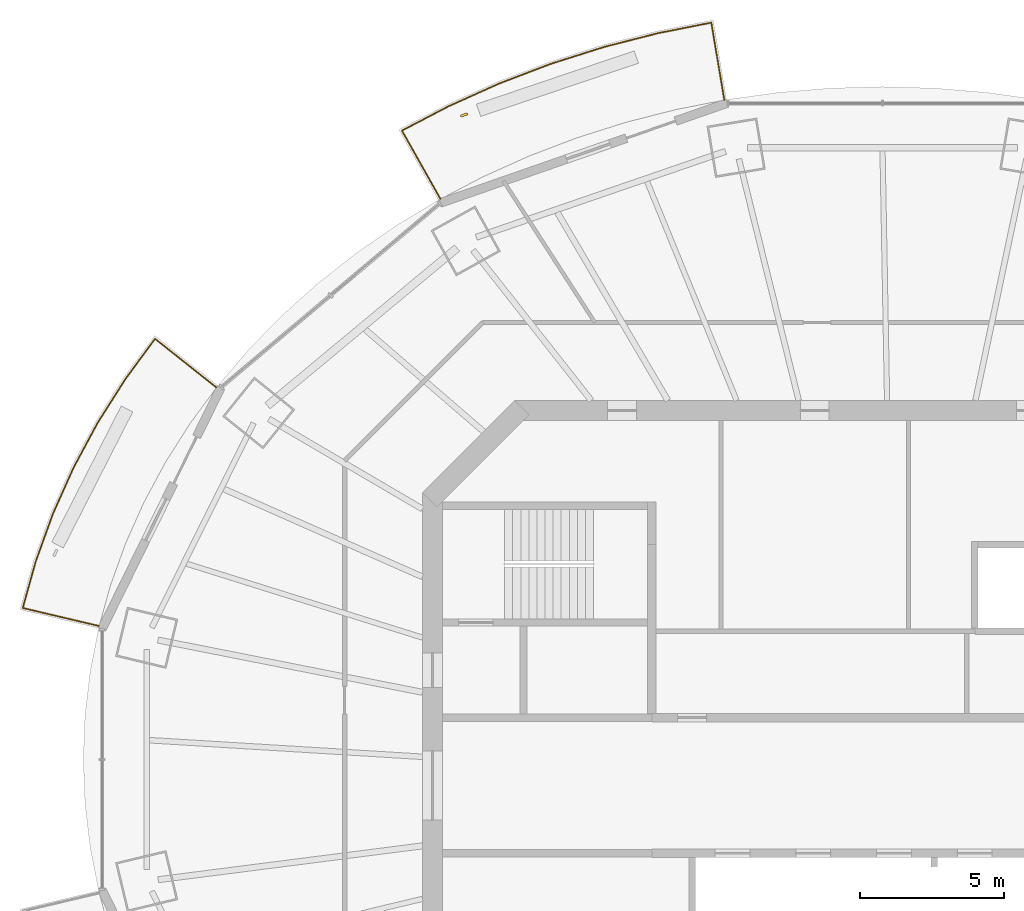
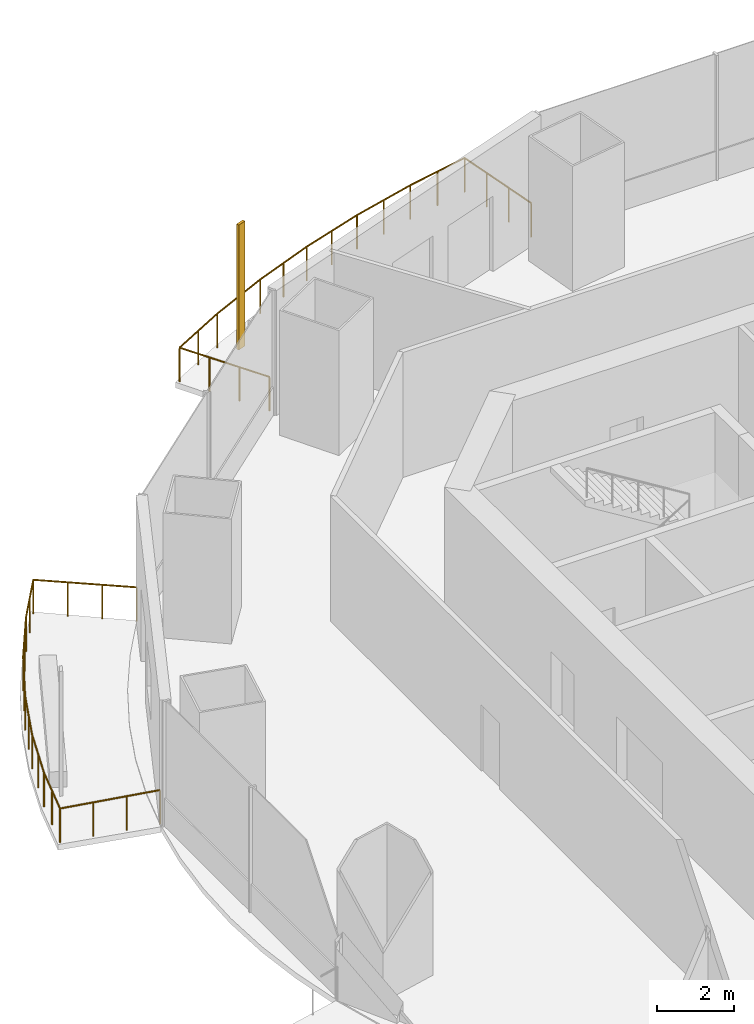
# One storey, part 14 of 16: 2 railings, 1 shading device.
"""IFC4 building model written with IfcOpenShell, lengths in metres."""

from ifc_helpers import new_model, si_unit, direction, frame, origin, origin_2d, place, context, subcontext, project, spatial, rectangle, circle, extrude, material, material_profile, profile_set, type_object, element, save


model = new_model("IFC4")

# Units and contexts
model_context = context("Model", 3, precision=1e-05, world=origin(), true_north=direction((0.0, 1.0)))
body_context = subcontext(model_context, "Body", "Model", "MODEL_VIEW")
ifc_project = project(units=[si_unit("LENGTHUNIT", "METRE"), si_unit("AREAUNIT", "SQUARE_METRE"), si_unit("VOLUMEUNIT", "CUBIC_METRE"), si_unit("PLANEANGLEUNIT", "RADIAN"), si_unit("MASSUNIT", "GRAM", prefix="KILO")], contexts=[model_context])

# Site, building, storey
site_placement = place(None, origin())
site = spatial("IfcSite", under=ifc_project, at=site_placement, CompositionType="ELEMENT")
building_placement = place(site_placement, origin())
building = spatial("IfcBuilding", under=site, at=building_placement, Name="Marenthal Gate Tower", CompositionType="ELEMENT")
storey_placement = place(building_placement, frame((0.0, 0.0, 321.85009765625)))
storey = spatial("IfcBuildingStorey", under=building, at=storey_placement, Name="L72", CompositionType="ELEMENT", Elevation=321.85009765625)

# Railings
ifc_material_1 = material(Name="Stainless steel", Category="steel")
railing_type = type_object("IfcRailingType", Name="Balcony guard 1100", PredefinedType="GUARDRAIL", material=ifc_material_1)
railing_1_placement = place(storey_placement, frame((-15.726318359375, 20.3349609375, 0.0)))
element("IfcRailing", 1, at=railing_1_placement, inside=storey, type_object=railing_type, Name="Balcony guard L72 bay 5", PredefinedType="GUARDRAIL", context=body_context, shape_type="SweptSolid", body=[
    extrude(circle(Radius=0.02392578125, at=origin_2d()), frame((0.0, 0.0, 1.076171875), z_axis=(-0.490566018996, 0.871279713211, -0.014718775543), x_axis=(-0.871374106592, -0.49061916632, 0.0)), (0.0, 0.0, 1.0), 2.72021484375),
    extrude(circle(Radius=0.02392578125, at=origin_2d()), frame((-1.33447265625, 2.3701171875, 1.0361328125), z_axis=(0.886546608419, 0.462639288324, 0.0), x_axis=(-0.462639288324, 0.886546608419, 0.0)), (0.0, 0.0, 1.0), 1.82177734375),
    extrude(circle(Radius=0.02392578125, at=origin_2d()), frame((0.280517578125, 3.212890625, 1.0361328125), z_axis=(0.911923891931, 0.410359373387, 0.0), x_axis=(-0.410359373387, 0.911923891931, 0.0)), (0.0, 0.0, 1.0), 1.913818359375),
    extrude(circle(Radius=0.02392578125, at=origin_2d()), frame((2.02587890625, 3.998291015625, 1.0361328125), z_axis=(0.93438727594, 0.356258920677, 0.0), x_axis=(-0.356258920677, 0.93438727594, 0.0)), (0.0, 0.0, 1.0), 1.92578125),
    extrude(circle(Radius=0.02392578125, at=origin_2d()), frame((3.8251953125, 4.684326171875, 1.0361328125), z_axis=(0.953258105079, 0.302157219178, 0.0), x_axis=(-0.302157219178, 0.953258105079, 0.0)), (0.0, 0.0, 1.0), 1.93603515625),
    extrude(circle(Radius=0.02392578125, at=origin_2d()), frame((5.670654296875, 5.269287109375, 1.0361328125), z_axis=(0.968904264382, 0.247435903744, 0.0), x_axis=(-0.247435903744, 0.968904264382, 0.0)), (0.0, 0.0, 1.0), 1.94482421875),
    extrude(circle(Radius=0.02392578125, at=origin_2d()), frame((7.554931640625, 5.75048828125, 1.0361328125), z_axis=(0.981044354343, 0.193783319228, 0.0), x_axis=(-0.193783319228, 0.981044354343, 0.0)), (0.0, 0.0, 1.0), 1.8720703125),
    extrude(circle(Radius=0.02392578125, at=origin_2d()), frame((9.3916015625, 6.11328125, 1.0361328125), z_axis=(0.165225230724, -0.986146026723, 0.014718597414), x_axis=(0.986252861995, 0.165243130591, 0.0)), (0.0, 0.0, 1.0), 2.72021484375),
    extrude(circle(Radius=0.02099609375, at=origin_2d()), origin(), (0.0, 0.0, 1.0), 1.052001953125),
    extrude(circle(Radius=0.02099609375, at=origin_2d()), frame((-0.44482421875, 0.7900390625, -0.013427734375)), (0.0, 0.0, 1.0), 1.052001953125),
    extrude(circle(Radius=0.02099609375, at=origin_2d()), frame((-0.8896484375, 1.580078125, -0.026611328125)), (0.0, 0.0, 1.0), 1.052001953125),
    extrude(circle(Radius=0.02099609375, at=origin_2d()), frame((-1.33447265625, 2.3701171875, -0.0400390625)), (0.0, 0.0, 1.0), 1.052001953125),
    extrude(circle(Radius=0.02099609375, at=origin_2d()), frame((-0.52685546875, 2.79150390625, -0.0400390625)), (0.0, 0.0, 1.0), 1.052001953125),
    extrude(circle(Radius=0.02099609375, at=origin_2d()), frame((0.280517578125, 3.212890625, -0.0400390625)), (0.0, 0.0, 1.0), 1.052001953125),
    extrude(circle(Radius=0.02099609375, at=origin_2d()), frame((1.1533203125, 3.60546875, -0.0400390625)), (0.0, 0.0, 1.0), 1.052001953125),
    extrude(circle(Radius=0.02099609375, at=origin_2d()), frame((2.02587890625, 3.998291015625, -0.0400390625)), (0.0, 0.0, 1.0), 1.052001953125),
    extrude(circle(Radius=0.02099609375, at=origin_2d()), frame((2.925537109375, 4.34130859375, -0.0400390625)), (0.0, 0.0, 1.0), 1.052001953125),
    extrude(circle(Radius=0.02099609375, at=origin_2d()), frame((3.8251953125, 4.684326171875, -0.0400390625)), (0.0, 0.0, 1.0), 1.052001953125),
    extrude(circle(Radius=0.02099609375, at=origin_2d()), frame((4.748046875, 4.976806640625, -0.0400390625)), (0.0, 0.0, 1.0), 1.052001953125),
    extrude(circle(Radius=0.02099609375, at=origin_2d()), frame((5.670654296875, 5.269287109375, -0.0400390625)), (0.0, 0.0, 1.0), 1.052001953125),
    extrude(circle(Radius=0.02099609375, at=origin_2d()), frame((6.61279296875, 5.509765625, -0.0400390625)), (0.0, 0.0, 1.0), 1.052001953125),
    extrude(circle(Radius=0.02099609375, at=origin_2d()), frame((7.554931640625, 5.75048828125, -0.0400390625)), (0.0, 0.0, 1.0), 1.052001953125),
    extrude(circle(Radius=0.02099609375, at=origin_2d()), frame((8.47314453125, 5.931884765625, -0.0400390625)), (0.0, 0.0, 1.0), 1.052001953125),
    extrude(circle(Radius=0.02099609375, at=origin_2d()), frame((9.3916015625, 6.11328125, -0.0400390625)), (0.0, 0.0, 1.0), 1.052001953125),
    extrude(circle(Radius=0.02099609375, at=origin_2d()), frame((9.54150390625, 5.218994140625, -0.026611328125)), (0.0, 0.0, 1.0), 1.052001953125),
    extrude(circle(Radius=0.02099609375, at=origin_2d()), frame((9.691162109375, 4.324951171875, -0.013427734375)), (0.0, 0.0, 1.0), 1.052001953125),
    extrude(circle(Radius=0.02099609375, at=origin_2d()), frame((9.841064453125, 3.4306640625, 0.0)), (0.0, 0.0, 1.0), 1.052001953125),
])
railing_2_placement = place(storey_placement, frame((-27.56103515625, 5.52880859375, 0.0)))
element("IfcRailing", 2, at=railing_2_placement, inside=storey, type_object=railing_type, Name="Balcony guard L72 bay 7", PredefinedType="GUARDRAIL", context=body_context, shape_type="SweptSolid", body=[
    extrude(circle(Radius=0.02392578125, at=origin_2d()), frame((0.0, 0.0, 1.076171875), z_axis=(-0.97315730439, 0.229669790827, -0.014718970573), x_axis=(-0.229694673631, -0.973262737859, 0.0)), (0.0, 0.0, 1.0), 2.72021484375),
    extrude(circle(Radius=0.02392578125, at=origin_2d()), frame((-2.647216796875, 0.624755859375, 1.0361328125), z_axis=(0.268631744924, 0.96324295254, 0.0), x_axis=(-0.96324295254, 0.268631744924, 0.0)), (0.0, 0.0, 1.0), 1.66943359375),
    extrude(circle(Radius=0.02392578125, at=origin_2d()), frame((-2.19873046875, 2.23291015625, 1.0361328125), z_axis=(0.338940900894, 0.940807666689, 0.0), x_axis=(-0.940807666689, 0.338940900894, 0.0)), (0.0, 0.0, 1.0), 1.7568359375),
    extrude(circle(Radius=0.02392578125, at=origin_2d()), frame((-1.603271484375, 3.8857421875, 1.0361328125), z_axis=(0.408087166089, 0.912942969124, 0.0), x_axis=(-0.912942969124, 0.408087166089, 0.0)), (0.0, 0.0, 1.0), 1.76611328125),
    extrude(circle(Radius=0.02392578125, at=origin_2d()), frame((-0.882568359375, 5.498046875, 1.0361328125), z_axis=(0.474001474553, 0.880524049712, 0.0), x_axis=(-0.880524049712, 0.474001474553, 0.0)), (0.0, 0.0, 1.0), 1.7763671875),
    extrude(circle(Radius=0.02392578125, at=origin_2d()), frame((-0.04052734375, 7.062255859375, 1.0361328125), z_axis=(0.535974159658, 0.844234386991, 0.0), x_axis=(-0.844234386991, 0.535974159658, 0.0)), (0.0, 0.0, 1.0), 1.788330078125),
    extrude(circle(Radius=0.02392578125, at=origin_2d()), frame((0.91796875, 8.572021484375, 1.0361328125), z_axis=(0.592758652735, 0.805380146023, 0.0), x_axis=(-0.805380146023, 0.592758652735, 0.0)), (0.0, 0.0, 1.0), 1.72119140625),
    extrude(circle(Radius=0.02392578125, at=origin_2d()), frame((1.938232421875, 9.958251953125, 1.0361328125), z_axis=(0.783491150454, -0.621228607496, 0.014718505003), x_axis=(0.621295908171, 0.783576029808, 0.0)), (0.0, 0.0, 1.0), 2.72021484375),
    extrude(circle(Radius=0.02099609375, at=origin_2d()), origin(), (0.0, 0.0, 1.0), 1.052001953125),
    extrude(circle(Radius=0.02099609375, at=origin_2d()), frame((-0.88232421875, 0.208251953125, -0.013427734375)), (0.0, 0.0, 1.0), 1.052001953125),
    extrude(circle(Radius=0.02099609375, at=origin_2d()), frame((-1.764892578125, 0.41650390625, -0.026611328125)), (0.0, 0.0, 1.0), 1.052001953125),
    extrude(circle(Radius=0.02099609375, at=origin_2d()), frame((-2.647216796875, 0.624755859375, -0.0400390625)), (0.0, 0.0, 1.0), 1.052001953125),
    extrude(circle(Radius=0.02099609375, at=origin_2d()), frame((-2.4228515625, 1.4287109375, -0.0400390625)), (0.0, 0.0, 1.0), 1.052001953125),
    extrude(circle(Radius=0.02099609375, at=origin_2d()), frame((-2.19873046875, 2.23291015625, -0.0400390625)), (0.0, 0.0, 1.0), 1.052001953125),
    extrude(circle(Radius=0.02099609375, at=origin_2d()), frame((-1.90087890625, 3.059326171875, -0.0400390625)), (0.0, 0.0, 1.0), 1.052001953125),
    extrude(circle(Radius=0.02099609375, at=origin_2d()), frame((-1.603271484375, 3.8857421875, -0.0400390625)), (0.0, 0.0, 1.0), 1.052001953125),
    extrude(circle(Radius=0.02099609375, at=origin_2d()), frame((-1.242919921875, 4.69189453125, -0.0400390625)), (0.0, 0.0, 1.0), 1.052001953125),
    extrude(circle(Radius=0.02099609375, at=origin_2d()), frame((-0.882568359375, 5.498046875, -0.0400390625)), (0.0, 0.0, 1.0), 1.052001953125),
    extrude(circle(Radius=0.02099609375, at=origin_2d()), frame((-0.46142578125, 6.2802734375, -0.0400390625)), (0.0, 0.0, 1.0), 1.052001953125),
    extrude(circle(Radius=0.02099609375, at=origin_2d()), frame((-0.04052734375, 7.062255859375, -0.0400390625)), (0.0, 0.0, 1.0), 1.052001953125),
    extrude(circle(Radius=0.02099609375, at=origin_2d()), frame((0.438720703125, 7.817138671875, -0.0400390625)), (0.0, 0.0, 1.0), 1.052001953125),
    extrude(circle(Radius=0.02099609375, at=origin_2d()), frame((0.91796875, 8.572021484375, -0.0400390625)), (0.0, 0.0, 1.0), 1.052001953125),
    extrude(circle(Radius=0.02099609375, at=origin_2d()), frame((1.42822265625, 9.26513671875, -0.0400390625)), (0.0, 0.0, 1.0), 1.052001953125),
    extrude(circle(Radius=0.02099609375, at=origin_2d()), frame((1.938232421875, 9.958251953125, -0.0400390625)), (0.0, 0.0, 1.0), 1.052001953125),
    extrude(circle(Radius=0.02099609375, at=origin_2d()), frame((2.648681640625, 9.39501953125, -0.026611328125)), (0.0, 0.0, 1.0), 1.052001953125),
    extrude(circle(Radius=0.02099609375, at=origin_2d()), frame((3.359130859375, 8.83154296875, -0.013427734375)), (0.0, 0.0, 1.0), 1.052001953125),
    extrude(circle(Radius=0.02099609375, at=origin_2d()), frame((4.069580078125, 8.268310546875, 0.0)), (0.0, 0.0, 1.0), 1.052001953125),
])

# Shading device
ifc_material_2 = material(Name="Terracotta", Category="masonry")
ifc_material_profile = material_profile(ifc_material_2, rectangle(XDim=0.25, YDim=0.080078125, at=origin_2d()), Name="Terracotta baguette 250x80")
ifc_profile_set = profile_set([ifc_material_profile], Name="Terracotta")
shading_device_type = type_object("IfcShadingDeviceType", Name="Terracotta BAGUETTE SCREEN 250x80", PredefinedType="USERDEFINED", material=ifc_profile_set)
shading_device_placement = place(storey_placement, frame((-14.90771484375, 23.24609375, -0.0400390625), z_axis=(0.0, 0.0, 1.0), x_axis=(-0.944213856974, -0.329332950521, 0.0)))
element("IfcShadingDevice", 3, at=shading_device_placement, inside=storey, type_object=shading_device_type, Name="Terracotta BAGUETTE L72 bay 5R", ObjectType="BAGUETTE SCREEN", PredefinedType="USERDEFINED", context=body_context, shape_type="SweptSolid", body=[
    extrude(rectangle(XDim=0.25, YDim=0.080078125, at=origin_2d()), origin(), (0.0, 0.0, 1.0), 3.969970703125),
])

save(model, "model.ifc")
